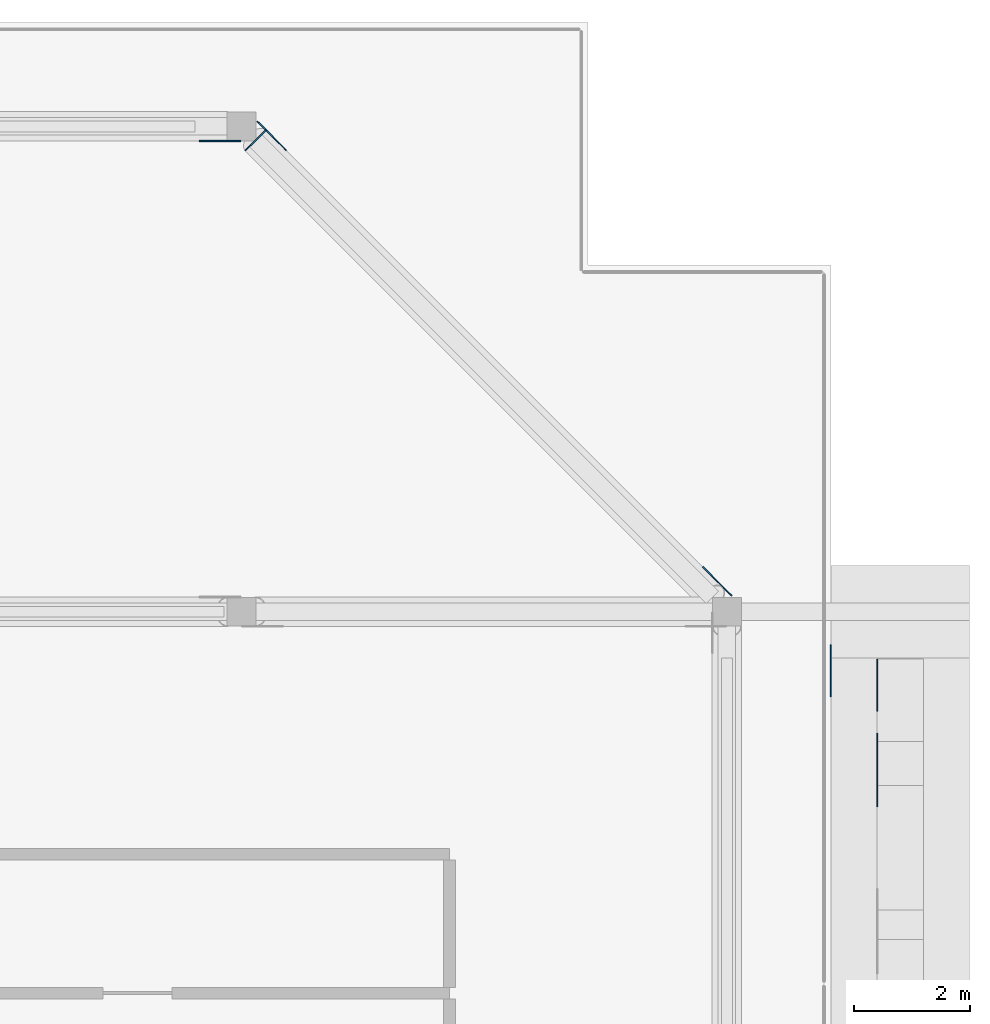
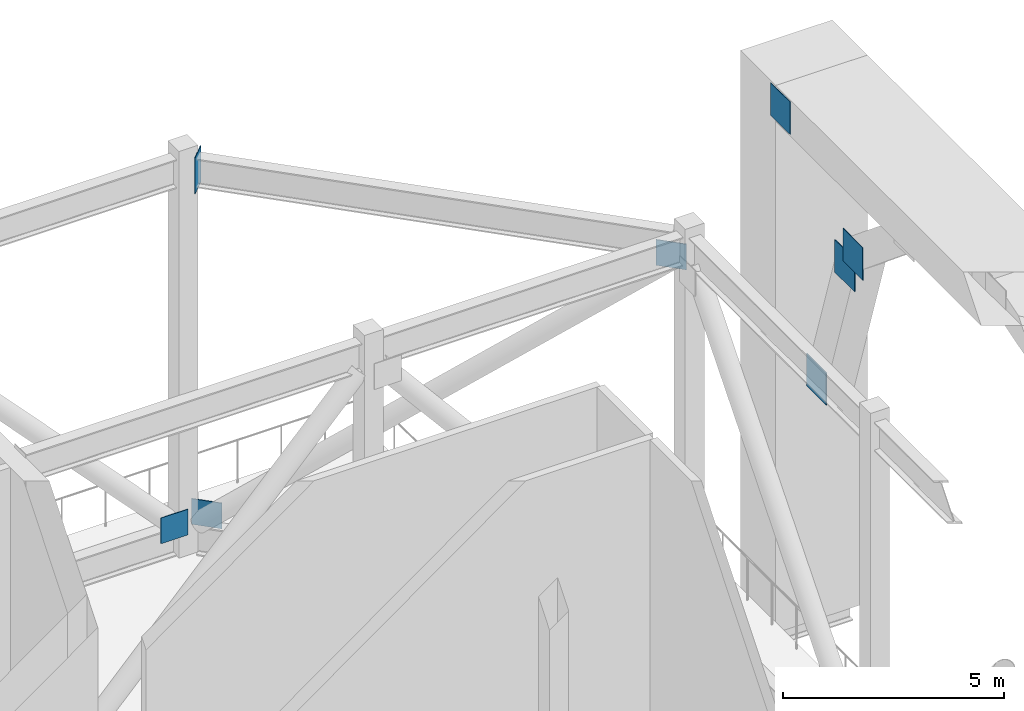
# One storey, part 16 of 20: 8 discrete accessories.
"""IFC4 building model written with IfcOpenShell, lengths in metres."""

from ifc_helpers import new_model, si_unit, direction, frame, origin, origin_2d, place, context, subcontext, project, spatial, rectangle, extrude, element, save


model = new_model("IFC4")

# Units and contexts
model_context = context("Model", 3, precision=1e-05, world=origin(), true_north=direction((0.0, 1.0)))
body_context = subcontext(model_context, "Body", "Model", "MODEL_VIEW")
ifc_project = project(units=[si_unit("LENGTHUNIT", "METRE"), si_unit("AREAUNIT", "SQUARE_METRE"), si_unit("VOLUMEUNIT", "CUBIC_METRE"), si_unit("PLANEANGLEUNIT", "RADIAN"), si_unit("MASSUNIT", "GRAM", prefix="KILO")], contexts=[model_context])

# Site, building, storey
site_placement = place(None, origin())
site = spatial("IfcSite", under=ifc_project, at=site_placement, CompositionType="ELEMENT")
building_placement = place(site_placement, origin())
building = spatial("IfcBuilding", under=site, at=building_placement, Name="Saffron Gate Tower", CompositionType="ELEMENT")
storey_placement = place(building_placement, frame((0.0, 0.0, 252.300048828125)))
storey = spatial("IfcBuildingStorey", under=building, at=storey_placement, Name="L62", CompositionType="ELEMENT", Elevation=252.300048828125)

# Discrete accessories
for number, where, z_axis, x_axis, name in (
    (1, (117.52587890625, 73.63330078125, 0.558837890625), (0.0, 0.0, 1.0), (0.707106781187, -0.707106781187, 0.0), "GUSSET PLATE"),
    (2, (125.2333984375, 65.92578125, 9.7001953125), (0.0, 0.0, 1.0), (0.707106781187, -0.707106781187, 0.0), "GUSSET PLATE"),
    (3, (116.6279296875, 73.5458984375, 0.57373046875), (0.0, 0.0, 1.0), (-1.0, 0.0, 0.0), "GUSSET PLATE"),
):
    element("IfcDiscreteAccessory", number, at=place(storey_placement, frame(where, z_axis=z_axis, x_axis=x_axis)), inside=storey, Name=name, ObjectType="GUSSET PLATE", PredefinedType="USERDEFINED", context=body_context, shape_type="SweptSolid", body=[
        extrude(rectangle(XDim=0.7109375, YDim=0.02001953125, at=origin_2d()), origin(), (0.0, 0.0, 1.0), 0.7109375),
    ])
for number, where, z_axis, x_axis, name in (
    (4, (128.0, 62.4755859375, 10.737548828125), (0.0, 0.0, 1.0), (0.0, 1.0, 0.0), "EMBEDDED PLATE"),
    (5, (128.0, 62.8447265625, 10.19677734375), (0.0, 0.0, 1.0), (0.0, 1.0, 0.0), "EMBEDDED PLATE"),
    (6, (128.0, 64.1298828125, 6.28125), (0.0, 0.0, 1.0), (0.0, 1.0, 0.0), "EMBEDDED PLATE"),
    (7, (127.199951171875, 64.375, 13.89990234375), (0.0, 0.0, 1.0), (0.0, 1.0, 0.0), "EMBEDDED PLATE"),
):
    element("IfcDiscreteAccessory", number, at=place(storey_placement, frame(where, z_axis=z_axis, x_axis=x_axis)), inside=storey, Name=name, ObjectType="EMBEDDED PLATE", PredefinedType="USERDEFINED", context=body_context, shape_type="SweptSolid", body=[
        extrude(rectangle(XDim=0.89990234375, YDim=0.02001953125, at=origin_2d()), origin(), (0.0, 0.0, 1.0), 0.89990234375),
    ])
discrete_accessory_placement = place(storey_placement, frame((117.242919921875, 73.55712890625, 10.070068359375), z_axis=(0.0, 0.0, 1.0), x_axis=(-0.707106781187, 0.707106781187, 0.0)))
element("IfcDiscreteAccessory", 8, at=discrete_accessory_placement, inside=storey, Name="BELT TRUSS END PLATE", ObjectType="BELT TRUSS END PLATE", PredefinedType="USERDEFINED", context=body_context, shape_type="SweptSolid", body=[
    extrude(rectangle(XDim=0.02001953125, YDim=0.5, at=origin_2d()), origin(), (0.0, 0.0, 1.0), 1.0),
])

save(model, "model.ifc")
